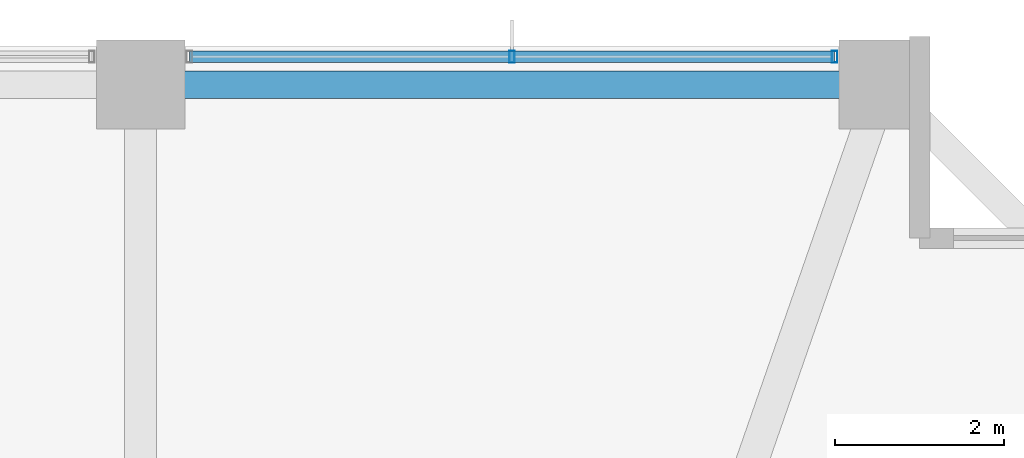
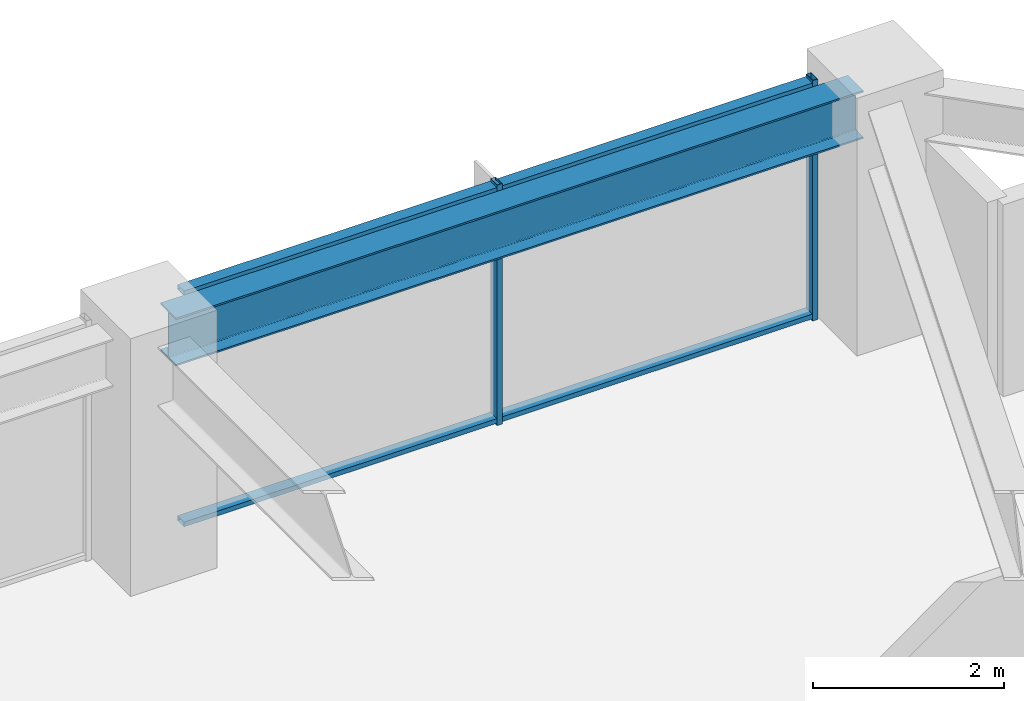
# One storey, part 24 of 36: 4 members, 1 beam, 1 element without a shape of its own.
"""IFC4 building model written with IfcOpenShell, lengths in metres."""

from ifc_helpers import new_model, si_unit, direction, frame, origin, origin_2d, place, context, subcontext, project, spatial, hollow_rectangle, i_section, extrude, material, material_profile, profile_set, type_object, element, aggregate, save


model = new_model("IFC4")

# Units and contexts
model_context = context("Model", 3, precision=1e-05, world=origin(), true_north=direction((0.0, 1.0)))
body_context = subcontext(model_context, "Body", "Model", "MODEL_VIEW")
ifc_project = project(units=[si_unit("LENGTHUNIT", "METRE"), si_unit("AREAUNIT", "SQUARE_METRE"), si_unit("VOLUMEUNIT", "CUBIC_METRE"), si_unit("PLANEANGLEUNIT", "RADIAN"), si_unit("MASSUNIT", "GRAM", prefix="KILO")], contexts=[model_context])

# Site, building, storey
site_placement = place(None, origin())
site = spatial("IfcSite", under=ifc_project, at=site_placement, CompositionType="ELEMENT")
building_placement = place(site_placement, origin())
building = spatial("IfcBuilding", under=site, at=building_placement, Name="Kolvaren Belvedere", CompositionType="ELEMENT")
storey_placement = place(building_placement, frame((0.0, 0.0, 88.699951171875)))
storey = spatial("IfcBuildingStorey", under=building, at=storey_placement, Name="L25", CompositionType="ELEMENT", Elevation=88.699951171875)

# Beam
ifc_material_1 = material(Name="Structural steel ASTM A992 Grade 50", Category="steel")
ifc_material_profile_1 = material_profile(ifc_material_1, i_section(OverallWidth=0.324951171875, OverallDepth=0.615966796875, WebThickness=0.013916015625, FlangeThickness=0.021484375, FilletRadius=0.02001953125, at=origin_2d()), Name="W24X117")
ifc_profile_set_1 = profile_set([ifc_material_profile_1], Name="Structural steel ASTM A992 Grade 50")
beam_type = type_object("IfcBeamType", Name="BM-SPAN-W24X117", PredefinedType="SPANDREL", material=ifc_profile_set_1)
beam_placement = place(storey_placement, frame((13.163818359375, 19.949951171875, 2.77197265625), z_axis=(-1.0, 0.0, 0.0), x_axis=(0.0, -1.0, 0.0)))
element("IfcBeam", 1, at=beam_placement, inside=storey, type_object=beam_type, Name="L25 Perimeter Spandrel N4-N3", PredefinedType="SPANDREL", context=body_context, shape_type="SweptSolid", body=[
    extrude(i_section(OverallWidth=0.324951171875, OverallDepth=0.615966796875, WebThickness=0.013916015625, FlangeThickness=0.021484375, FilletRadius=0.02001953125, at=origin_2d()), origin(), (0.0, 0.0, 1.0), 8.32763671875),
])

# Curtain wall, members
ifc_material_2 = material(Name="Anodised pale-metal aluminium AA 6063-T6", Category="aluminium")
curtain_wall_type = type_object("IfcCurtainWallType", Name="CW-Z2-MID", PredefinedType="NOTDEFINED", material=ifc_material_2)
curtain_wall_placement = place(storey_placement, origin())
curtain_wall = element("IfcCurtainWall", 2, at=curtain_wall_placement, inside=storey, type_object=curtain_wall_type, Name="L25 Unitised Curtain Wall FCW-L25-N-B3", PredefinedType="NOTDEFINED")
ifc_material_3 = material(Name="Anodised pale-metal aluminium AA 6063-T6", Category="aluminium")
ifc_material_profile_2 = material_profile(ifc_material_3, hollow_rectangle(XDim=0.06494140625, YDim=0.139892578125, WallThickness=0.00390625, at=origin_2d()), Name="ALU-MUL-140X65")
ifc_profile_set_2 = profile_set([ifc_material_profile_2], Name="Anodised pale-metal aluminium AA 6063-T6")
member_type_1 = type_object("IfcMemberType", Name="CW-MUL-140", PredefinedType="MULLION", material=ifc_profile_set_2)
member_1_placement = place(storey_placement, frame((9.0, 20.280029296875, 0.0), z_axis=(0.0, 0.0, 1.0), x_axis=(1.0, 0.0, 0.0)))
member_1 = element("IfcMember", 3, at=member_1_placement, type_object=member_type_1, Name="FCW-L25-N-B3 Unitised Mullion 2", PredefinedType="MULLION", context=body_context, shape_type="SweptSolid", body=[
    extrude(hollow_rectangle(XDim=0.06494140625, YDim=0.139892578125, WallThickness=0.00390625, at=origin_2d()), origin(), (0.0, 0.0, 1.0), 3.080078125),
])
member_2_placement = place(storey_placement, frame((12.822509765625, 20.280029296875, 0.0), z_axis=(0.0, 0.0, 1.0), x_axis=(1.0, 0.0, 0.0)))
member_2 = element("IfcMember", 4, at=member_2_placement, type_object=member_type_1, Name="FCW-L25-N-B3 Unitised Mullion 3", PredefinedType="MULLION", context=body_context, shape_type="SweptSolid", body=[
    extrude(hollow_rectangle(XDim=0.06494140625, YDim=0.139892578125, WallThickness=0.00390625, at=origin_2d()), origin(), (0.0, 0.0, 1.0), 3.080078125),
])
ifc_material_4 = material(Name="Anodised pale-metal aluminium AA 6063-T6", Category="aluminium")
ifc_material_profile_3 = material_profile(ifc_material_4, hollow_rectangle(XDim=0.06005859375, YDim=0.139892578125, WallThickness=0.00390625, at=origin_2d()), Name="ALU-TRN-140X60")
ifc_profile_set_3 = profile_set([ifc_material_profile_3], Name="Anodised pale-metal aluminium AA 6063-T6")
member_type_2 = type_object("IfcMemberType", Name="CW-TRN-140", PredefinedType="USERDEFINED", material=ifc_profile_set_3)
member_3_placement = place(storey_placement, frame((5.177490234375, 20.280029296875, 0.06005859375), z_axis=(1.0, 0.0, 0.0), x_axis=(0.0, 0.0, 1.0)))
member_3 = element("IfcMember", 5, at=member_3_placement, type_object=member_type_2, Name="FCW-L25-N-B3 Sill Transom", ObjectType="TRANSOM", PredefinedType="USERDEFINED", context=body_context, shape_type="SweptSolid", body=[
    extrude(hollow_rectangle(XDim=0.06005859375, YDim=0.139892578125, WallThickness=0.00390625, at=origin_2d()), origin(), (0.0, 0.0, 1.0), 7.64501953125),
])
member_4_placement = place(storey_placement, frame((5.177490234375, 20.280029296875, 3.02001953125), z_axis=(1.0, 0.0, 0.0), x_axis=(0.0, 0.0, 1.0)))
member_4 = element("IfcMember", 6, at=member_4_placement, type_object=member_type_2, Name="FCW-L25-N-B3 Head Transom", ObjectType="TRANSOM", PredefinedType="USERDEFINED", context=body_context, shape_type="SweptSolid", body=[
    extrude(hollow_rectangle(XDim=0.06005859375, YDim=0.139892578125, WallThickness=0.00390625, at=origin_2d()), origin(), (0.0, 0.0, 1.0), 7.64501953125),
])
aggregate(curtain_wall, [member_1, member_2, member_3, member_4])

save(model, "model.ifc")
